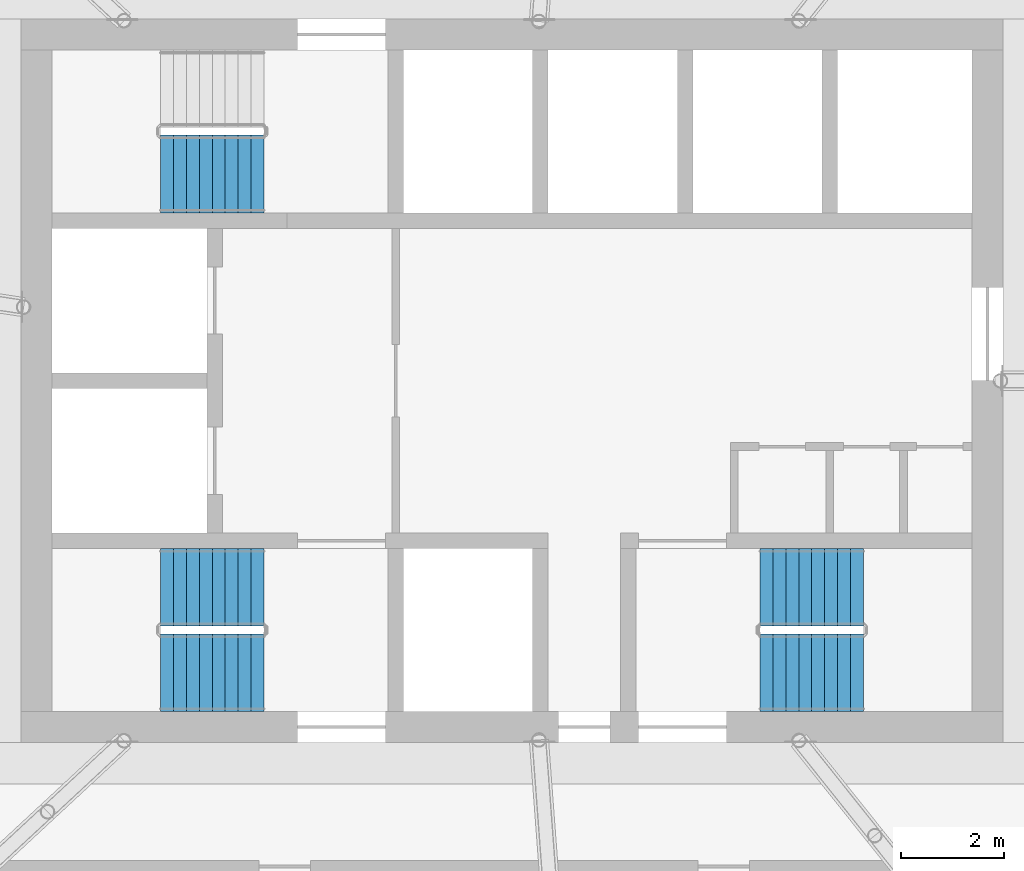
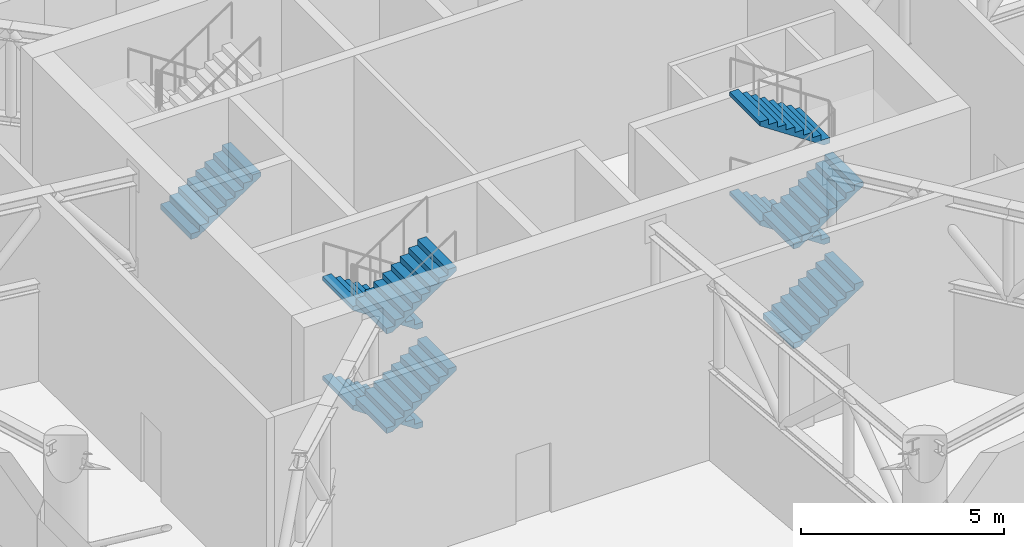
# One storey, part 11 of 13: 9 stair flights, 3 elements without a shape of their own.
"""IFC4 building model written with IfcOpenShell, lengths in metres."""

from ifc_helpers import new_model, si_unit, direction, frame, origin, place, context, subcontext, project, spatial, polyline, outline, extrude, material, type_object, element, aggregate, save


model = new_model("IFC4")

# Units and contexts
model_context = context("Model", 3, precision=1e-05, world=origin(), true_north=direction((0.0, 1.0)))
body_context = subcontext(model_context, "Body", "Model", "MODEL_VIEW")
ifc_project = project(units=[si_unit("LENGTHUNIT", "METRE"), si_unit("AREAUNIT", "SQUARE_METRE"), si_unit("VOLUMEUNIT", "CUBIC_METRE"), si_unit("PLANEANGLEUNIT", "RADIAN"), si_unit("MASSUNIT", "GRAM", prefix="KILO")], contexts=[model_context])

# Site, building, storey
site_placement = place(None, origin())
site = spatial("IfcSite", under=ifc_project, at=site_placement, CompositionType="ELEMENT")
building_placement = place(site_placement, origin())
building = spatial("IfcBuilding", under=site, at=building_placement, Name="Tracery Tower", CompositionType="ELEMENT")
storey_placement = place(building_placement, frame((0.0, 0.0, 277.800048828125)))
storey = spatial("IfcBuildingStorey", under=building, at=storey_placement, Name="L72 Plant", CompositionType="ELEMENT", Elevation=277.800048828125)

# Stair, stair flights
ifc_material_1 = material(Name="Concrete C32/40", Category="concrete")
stair_type = type_object("IfcStairType", Name="Core stair 36 risers", PredefinedType="HALF_TURN_STAIR", material=ifc_material_1)
stair_1_placement = place(storey_placement, origin())
stair_1 = element("IfcStair", 1, at=stair_1_placement, inside=storey, type_object=stair_type, Name="L72 Plant stair ST1", PredefinedType="HALF_TURN_STAIR")
ifc_material_2 = material(Name="Concrete C32/40", Category="concrete")
stair_flight_type = type_object("IfcStairFlightType", Name="Core stair flight 9 risers", PredefinedType="STRAIGHT", material=ifc_material_2)
stair_flight_1_placement = place(storey_placement, frame((-4.800048828125, -4.0, 0.0), z_axis=(0.0, 0.0, 1.0), x_axis=(-1.0, 0.0, 0.0)))
stair_flight_1 = element("IfcStairFlight", 2, at=stair_flight_1_placement, type_object=stair_flight_type, Name="ST1 flight 1", NumberOfRisers=9, NumberOfTreads=8, PredefinedType="STRAIGHT", RiserHeight=0.166666667, TreadLength=0.25, context=body_context, shape_type="SweptSolid", body=[
    extrude(outline(polyline([(0.0, 0.0), (0.0, 0.002685546875), (0.0, 0.00537109375), (0.0, 0.00830078125), (0.0, 0.010986328125), (0.0, 0.013671875), (0.0, 0.016357421875), (0.0, 0.01904296875), (0.0, 0.02197265625), (0.0, 0.024658203125), (0.0, 0.02734375), (0.0, 0.030029296875), (0.0, 0.03271484375), (0.0, 0.035400390625), (0.0, 0.038330078125), (0.0, 0.041015625), (0.0, 0.043701171875), (0.0, 0.04638671875), (0.0, 0.049072265625), (0.0, 0.052001953125), (0.0, 0.0546875), (0.0, 0.057373046875), (0.0, 0.06005859375), (0.0, 0.062744140625), (0.0, 0.065673828125), (0.0, 0.068359375), (0.0, 0.071044921875), (0.0, 0.07373046875), (0.0, 0.076416015625), (0.0, 0.079345703125), (0.0, 0.08203125), (0.0, 0.084716796875), (0.0, 0.08740234375), (0.0, 0.090087890625), (0.0, 0.093017578125), (0.0, 0.095703125), (0.0, 0.098388671875), (0.0, 0.10107421875), (0.0, 0.103759765625), (0.0, 0.1064453125), (0.0, 0.109375), (0.0, 0.112060546875), (0.0, 0.11474609375), (0.0, 0.117431640625), (0.0, 0.1201171875), (0.0, 0.123046875), (0.0, 0.125732421875), (0.0, 0.12841796875), (0.0, 0.131103515625), (0.0, 0.1337890625), (0.0, 0.13671875), (0.0, 0.139404296875), (0.0, 0.14208984375), (0.0, 0.144775390625), (0.0, 0.1474609375), (0.0, 0.150390625), (0.0, 0.153076171875), (0.0, 0.15576171875), (0.0, 0.158447265625), (0.0, 0.1611328125), (0.0, 0.163818359375), (0.0, 0.166748046875), (0.25, 0.166748046875), (0.25, 0.333251953125), (0.5, 0.333251953125), (0.5, 0.5), (0.75, 0.5), (0.75, 0.666748046875), (1.0, 0.666748046875), (1.0, 0.833251953125), (1.25, 0.833251953125), (1.25, 1.0), (1.5, 1.0), (1.5, 1.166748046875), (1.75, 1.166748046875), (1.75, 1.333251953125), (2.0, 1.333251953125), (2.0, 1.331298828125), (2.0, 1.329345703125), (2.0, 1.327392578125), (2.0, 1.325439453125), (2.0, 1.323486328125), (2.0, 1.321533203125), (2.0, 1.319580078125), (2.0, 1.317626953125), (2.0, 1.315673828125), (2.0, 1.313720703125), (2.0, 1.3115234375), (2.0, 1.3095703125), (2.0, 1.3076171875), (2.0, 1.3056640625), (2.0, 1.3037109375), (2.0, 1.3017578125), (2.0, 1.2998046875), (2.0, 1.2978515625), (2.0, 1.2958984375), (2.0, 1.2939453125), (2.0, 1.2919921875), (2.0, 1.2900390625), (2.0, 1.2880859375), (2.0, 1.285888671875), (2.0, 1.283935546875), (2.0, 1.281982421875), (2.0, 1.280029296875), (2.0, 1.278076171875), (2.0, 1.276123046875), (2.0, 1.274169921875), (2.0, 1.272216796875), (2.0, 1.270263671875), (2.0, 1.268310546875), (2.0, 1.266357421875), (2.0, 1.264404296875), (2.0, 1.262451171875), (2.0, 1.26025390625), (2.0, 1.25830078125), (2.0, 1.25634765625), (2.0, 1.25439453125), (2.0, 1.25244140625), (2.0, 1.25048828125), (2.0, 1.24853515625), (2.0, 1.24658203125), (2.0, 1.24462890625), (2.0, 1.24267578125), (2.0, 1.24072265625), (2.0, 1.23876953125), (2.0, 1.23681640625), (2.0, 1.234619140625), (2.0, 1.232666015625), (2.0, 1.230712890625), (2.0, 1.228759765625), (2.0, 1.226806640625), (2.0, 1.224853515625), (2.0, 1.222900390625), (2.0, 1.220947265625), (2.0, 1.218994140625), (2.0, 1.217041015625), (2.0, 1.215087890625), (2.0, 1.213134765625), (0.180419921875, 0.0), (0.0, 0.0)])), frame((0.0, 0.75, 0.0), z_axis=(0.0, -1.0, 0.0), x_axis=(1.0, 0.0, 0.0)), (0.0, 0.0, 1.0), 1.5),
])
stair_flight_2_placement = place(storey_placement, frame((-6.800048828125, -5.64990234375, 1.5), z_axis=(0.0, 0.0, 1.0), x_axis=(1.0, 0.0, 0.0)))
stair_flight_2 = element("IfcStairFlight", 3, at=stair_flight_2_placement, type_object=stair_flight_type, Name="ST1 flight 2", NumberOfRisers=9, NumberOfTreads=8, PredefinedType="STRAIGHT", RiserHeight=0.166666667, TreadLength=0.25, context=body_context, shape_type="SweptSolid", body=[
    extrude(outline(polyline([(0.0, 0.0), (0.0, 0.002685546875), (0.0, 0.00537109375), (0.0, 0.00830078125), (0.0, 0.010986328125), (0.0, 0.013671875), (0.0, 0.016357421875), (0.0, 0.01904296875), (0.0, 0.02197265625), (0.0, 0.024658203125), (0.0, 0.02734375), (0.0, 0.030029296875), (0.0, 0.03271484375), (0.0, 0.035400390625), (0.0, 0.038330078125), (0.0, 0.041015625), (0.0, 0.043701171875), (0.0, 0.04638671875), (0.0, 0.049072265625), (0.0, 0.052001953125), (0.0, 0.0546875), (0.0, 0.057373046875), (0.0, 0.06005859375), (0.0, 0.062744140625), (0.0, 0.065673828125), (0.0, 0.068359375), (0.0, 0.071044921875), (0.0, 0.07373046875), (0.0, 0.076416015625), (0.0, 0.079345703125), (0.0, 0.08203125), (0.0, 0.084716796875), (0.0, 0.08740234375), (0.0, 0.090087890625), (0.0, 0.093017578125), (0.0, 0.095703125), (0.0, 0.098388671875), (0.0, 0.10107421875), (0.0, 0.103759765625), (0.0, 0.1064453125), (0.0, 0.109375), (0.0, 0.112060546875), (0.0, 0.11474609375), (0.0, 0.117431640625), (0.0, 0.1201171875), (0.0, 0.123046875), (0.0, 0.125732421875), (0.0, 0.12841796875), (0.0, 0.131103515625), (0.0, 0.1337890625), (0.0, 0.13671875), (0.0, 0.139404296875), (0.0, 0.14208984375), (0.0, 0.144775390625), (0.0, 0.1474609375), (0.0, 0.150390625), (0.0, 0.153076171875), (0.0, 0.15576171875), (0.0, 0.158447265625), (0.0, 0.1611328125), (0.0, 0.163818359375), (0.0, 0.166748046875), (0.25, 0.166748046875), (0.25, 0.333251953125), (0.5, 0.333251953125), (0.5, 0.5), (0.75, 0.5), (0.75, 0.666748046875), (1.0, 0.666748046875), (1.0, 0.833251953125), (1.25, 0.833251953125), (1.25, 1.0), (1.5, 1.0), (1.5, 1.166748046875), (1.75, 1.166748046875), (1.75, 1.333251953125), (2.0, 1.333251953125), (2.0, 1.331298828125), (2.0, 1.329345703125), (2.0, 1.327392578125), (2.0, 1.325439453125), (2.0, 1.323486328125), (2.0, 1.321533203125), (2.0, 1.319580078125), (2.0, 1.317626953125), (2.0, 1.315673828125), (2.0, 1.313720703125), (2.0, 1.3115234375), (2.0, 1.3095703125), (2.0, 1.3076171875), (2.0, 1.3056640625), (2.0, 1.3037109375), (2.0, 1.3017578125), (2.0, 1.2998046875), (2.0, 1.2978515625), (2.0, 1.2958984375), (2.0, 1.2939453125), (2.0, 1.2919921875), (2.0, 1.2900390625), (2.0, 1.2880859375), (2.0, 1.285888671875), (2.0, 1.283935546875), (2.0, 1.281982421875), (2.0, 1.280029296875), (2.0, 1.278076171875), (2.0, 1.276123046875), (2.0, 1.274169921875), (2.0, 1.272216796875), (2.0, 1.270263671875), (2.0, 1.268310546875), (2.0, 1.266357421875), (2.0, 1.264404296875), (2.0, 1.262451171875), (2.0, 1.26025390625), (2.0, 1.25830078125), (2.0, 1.25634765625), (2.0, 1.25439453125), (2.0, 1.25244140625), (2.0, 1.25048828125), (2.0, 1.24853515625), (2.0, 1.24658203125), (2.0, 1.24462890625), (2.0, 1.24267578125), (2.0, 1.24072265625), (2.0, 1.23876953125), (2.0, 1.23681640625), (2.0, 1.234619140625), (2.0, 1.232666015625), (2.0, 1.230712890625), (2.0, 1.228759765625), (2.0, 1.226806640625), (2.0, 1.224853515625), (2.0, 1.222900390625), (2.0, 1.220947265625), (2.0, 1.218994140625), (2.0, 1.217041015625), (2.0, 1.215087890625), (2.0, 1.213134765625), (0.180419921875, 0.0), (0.0, 0.0)])), frame((0.0, 0.75, 0.0), z_axis=(0.0, -1.0, 0.0), x_axis=(1.0, 0.0, 0.0)), (0.0, 0.0, 1.0), 1.5),
])
stair_flight_3_placement = place(storey_placement, frame((-4.800048828125, -4.0, 3.0), z_axis=(0.0, 0.0, 1.0), x_axis=(-1.0, 0.0, 0.0)))
stair_flight_3 = element("IfcStairFlight", 4, at=stair_flight_3_placement, type_object=stair_flight_type, Name="ST1 flight 3", NumberOfRisers=9, NumberOfTreads=8, PredefinedType="STRAIGHT", RiserHeight=0.166666667, TreadLength=0.25, context=body_context, shape_type="SweptSolid", body=[
    extrude(outline(polyline([(0.0, 0.0), (0.0, 0.002685546875), (0.0, 0.00537109375), (0.0, 0.00830078125), (0.0, 0.010986328125), (0.0, 0.013671875), (0.0, 0.016357421875), (0.0, 0.01904296875), (0.0, 0.02197265625), (0.0, 0.024658203125), (0.0, 0.02734375), (0.0, 0.030029296875), (0.0, 0.03271484375), (0.0, 0.035400390625), (0.0, 0.038330078125), (0.0, 0.041015625), (0.0, 0.043701171875), (0.0, 0.04638671875), (0.0, 0.049072265625), (0.0, 0.052001953125), (0.0, 0.0546875), (0.0, 0.057373046875), (0.0, 0.06005859375), (0.0, 0.062744140625), (0.0, 0.065673828125), (0.0, 0.068359375), (0.0, 0.071044921875), (0.0, 0.07373046875), (0.0, 0.076416015625), (0.0, 0.079345703125), (0.0, 0.08203125), (0.0, 0.084716796875), (0.0, 0.08740234375), (0.0, 0.090087890625), (0.0, 0.093017578125), (0.0, 0.095703125), (0.0, 0.098388671875), (0.0, 0.10107421875), (0.0, 0.103759765625), (0.0, 0.1064453125), (0.0, 0.109375), (0.0, 0.112060546875), (0.0, 0.11474609375), (0.0, 0.117431640625), (0.0, 0.1201171875), (0.0, 0.123046875), (0.0, 0.125732421875), (0.0, 0.12841796875), (0.0, 0.131103515625), (0.0, 0.1337890625), (0.0, 0.13671875), (0.0, 0.139404296875), (0.0, 0.14208984375), (0.0, 0.144775390625), (0.0, 0.1474609375), (0.0, 0.150390625), (0.0, 0.153076171875), (0.0, 0.15576171875), (0.0, 0.158447265625), (0.0, 0.1611328125), (0.0, 0.163818359375), (0.0, 0.166748046875), (0.25, 0.166748046875), (0.25, 0.333251953125), (0.5, 0.333251953125), (0.5, 0.5), (0.75, 0.5), (0.75, 0.666748046875), (1.0, 0.666748046875), (1.0, 0.833251953125), (1.25, 0.833251953125), (1.25, 1.0), (1.5, 1.0), (1.5, 1.166748046875), (1.75, 1.166748046875), (1.75, 1.333251953125), (2.0, 1.333251953125), (2.0, 1.331298828125), (2.0, 1.329345703125), (2.0, 1.327392578125), (2.0, 1.325439453125), (2.0, 1.323486328125), (2.0, 1.321533203125), (2.0, 1.319580078125), (2.0, 1.317626953125), (2.0, 1.315673828125), (2.0, 1.313720703125), (2.0, 1.3115234375), (2.0, 1.3095703125), (2.0, 1.3076171875), (2.0, 1.3056640625), (2.0, 1.3037109375), (2.0, 1.3017578125), (2.0, 1.2998046875), (2.0, 1.2978515625), (2.0, 1.2958984375), (2.0, 1.2939453125), (2.0, 1.2919921875), (2.0, 1.2900390625), (2.0, 1.2880859375), (2.0, 1.285888671875), (2.0, 1.283935546875), (2.0, 1.281982421875), (2.0, 1.280029296875), (2.0, 1.278076171875), (2.0, 1.276123046875), (2.0, 1.274169921875), (2.0, 1.272216796875), (2.0, 1.270263671875), (2.0, 1.268310546875), (2.0, 1.266357421875), (2.0, 1.264404296875), (2.0, 1.262451171875), (2.0, 1.26025390625), (2.0, 1.25830078125), (2.0, 1.25634765625), (2.0, 1.25439453125), (2.0, 1.25244140625), (2.0, 1.25048828125), (2.0, 1.24853515625), (2.0, 1.24658203125), (2.0, 1.24462890625), (2.0, 1.24267578125), (2.0, 1.24072265625), (2.0, 1.23876953125), (2.0, 1.23681640625), (2.0, 1.234619140625), (2.0, 1.232666015625), (2.0, 1.230712890625), (2.0, 1.228759765625), (2.0, 1.226806640625), (2.0, 1.224853515625), (2.0, 1.222900390625), (2.0, 1.220947265625), (2.0, 1.218994140625), (2.0, 1.217041015625), (2.0, 1.215087890625), (2.0, 1.213134765625), (0.180419921875, 0.0), (0.0, 0.0)])), frame((0.0, 0.75, 0.0), z_axis=(0.0, -1.0, 0.0), x_axis=(1.0, 0.0, 0.0)), (0.0, 0.0, 1.0), 1.5),
])
stair_flight_4_placement = place(storey_placement, frame((-6.800048828125, -5.64990234375, 4.5), z_axis=(0.0, 0.0, 1.0), x_axis=(1.0, 0.0, 0.0)))
stair_flight_4 = element("IfcStairFlight", 5, at=stair_flight_4_placement, type_object=stair_flight_type, Name="ST1 flight 4", NumberOfRisers=9, NumberOfTreads=8, PredefinedType="STRAIGHT", RiserHeight=0.166666667, TreadLength=0.25, context=body_context, shape_type="SweptSolid", body=[
    extrude(outline(polyline([(0.0, 0.0), (0.0, 0.002685546875), (0.0, 0.00537109375), (0.0, 0.00830078125), (0.0, 0.010986328125), (0.0, 0.013671875), (0.0, 0.016357421875), (0.0, 0.01904296875), (0.0, 0.02197265625), (0.0, 0.024658203125), (0.0, 0.02734375), (0.0, 0.030029296875), (0.0, 0.03271484375), (0.0, 0.035400390625), (0.0, 0.038330078125), (0.0, 0.041015625), (0.0, 0.043701171875), (0.0, 0.04638671875), (0.0, 0.049072265625), (0.0, 0.052001953125), (0.0, 0.0546875), (0.0, 0.057373046875), (0.0, 0.06005859375), (0.0, 0.062744140625), (0.0, 0.065673828125), (0.0, 0.068359375), (0.0, 0.071044921875), (0.0, 0.07373046875), (0.0, 0.076416015625), (0.0, 0.079345703125), (0.0, 0.08203125), (0.0, 0.084716796875), (0.0, 0.08740234375), (0.0, 0.090087890625), (0.0, 0.093017578125), (0.0, 0.095703125), (0.0, 0.098388671875), (0.0, 0.10107421875), (0.0, 0.103759765625), (0.0, 0.1064453125), (0.0, 0.109375), (0.0, 0.112060546875), (0.0, 0.11474609375), (0.0, 0.117431640625), (0.0, 0.1201171875), (0.0, 0.123046875), (0.0, 0.125732421875), (0.0, 0.12841796875), (0.0, 0.131103515625), (0.0, 0.1337890625), (0.0, 0.13671875), (0.0, 0.139404296875), (0.0, 0.14208984375), (0.0, 0.144775390625), (0.0, 0.1474609375), (0.0, 0.150390625), (0.0, 0.153076171875), (0.0, 0.15576171875), (0.0, 0.158447265625), (0.0, 0.1611328125), (0.0, 0.163818359375), (0.0, 0.166748046875), (0.25, 0.166748046875), (0.25, 0.333251953125), (0.5, 0.333251953125), (0.5, 0.5), (0.75, 0.5), (0.75, 0.666748046875), (1.0, 0.666748046875), (1.0, 0.833251953125), (1.25, 0.833251953125), (1.25, 1.0), (1.5, 1.0), (1.5, 1.166748046875), (1.75, 1.166748046875), (1.75, 1.333251953125), (2.0, 1.333251953125), (2.0, 1.331298828125), (2.0, 1.329345703125), (2.0, 1.327392578125), (2.0, 1.325439453125), (2.0, 1.323486328125), (2.0, 1.321533203125), (2.0, 1.319580078125), (2.0, 1.317626953125), (2.0, 1.315673828125), (2.0, 1.313720703125), (2.0, 1.3115234375), (2.0, 1.3095703125), (2.0, 1.3076171875), (2.0, 1.3056640625), (2.0, 1.3037109375), (2.0, 1.3017578125), (2.0, 1.2998046875), (2.0, 1.2978515625), (2.0, 1.2958984375), (2.0, 1.2939453125), (2.0, 1.2919921875), (2.0, 1.2900390625), (2.0, 1.2880859375), (2.0, 1.285888671875), (2.0, 1.283935546875), (2.0, 1.281982421875), (2.0, 1.280029296875), (2.0, 1.278076171875), (2.0, 1.276123046875), (2.0, 1.274169921875), (2.0, 1.272216796875), (2.0, 1.270263671875), (2.0, 1.268310546875), (2.0, 1.266357421875), (2.0, 1.264404296875), (2.0, 1.262451171875), (2.0, 1.26025390625), (2.0, 1.25830078125), (2.0, 1.25634765625), (2.0, 1.25439453125), (2.0, 1.25244140625), (2.0, 1.25048828125), (2.0, 1.24853515625), (2.0, 1.24658203125), (2.0, 1.24462890625), (2.0, 1.24267578125), (2.0, 1.24072265625), (2.0, 1.23876953125), (2.0, 1.23681640625), (2.0, 1.234619140625), (2.0, 1.232666015625), (2.0, 1.230712890625), (2.0, 1.228759765625), (2.0, 1.226806640625), (2.0, 1.224853515625), (2.0, 1.222900390625), (2.0, 1.220947265625), (2.0, 1.218994140625), (2.0, 1.217041015625), (2.0, 1.215087890625), (2.0, 1.213134765625), (0.180419921875, 0.0), (0.0, 0.0)])), frame((0.0, 0.75, 0.0), z_axis=(0.0, -1.0, 0.0), x_axis=(1.0, 0.0, 0.0)), (0.0, 0.0, 1.0), 1.5),
])
aggregate(stair_1, [stair_flight_1, stair_flight_2, stair_flight_3, stair_flight_4])

# Stair, stair flight
stair_2_placement = place(storey_placement, origin())
stair_2 = element("IfcStair", 6, at=stair_2_placement, inside=storey, type_object=stair_type, Name="L72 Plant stair ST3", PredefinedType="HALF_TURN_STAIR")
stair_flight_5_placement = place(storey_placement, frame((-6.800048828125, 4.0, 1.5), z_axis=(0.0, 0.0, 1.0), x_axis=(1.0, 0.0, 0.0)))
stair_flight_5 = element("IfcStairFlight", 7, at=stair_flight_5_placement, type_object=stair_flight_type, Name="ST3 flight 2", NumberOfRisers=9, NumberOfTreads=8, PredefinedType="STRAIGHT", RiserHeight=0.166666667, TreadLength=0.25, context=body_context, shape_type="SweptSolid", body=[
    extrude(outline(polyline([(0.0, 0.0), (0.0, 0.002685546875), (0.0, 0.00537109375), (0.0, 0.00830078125), (0.0, 0.010986328125), (0.0, 0.013671875), (0.0, 0.016357421875), (0.0, 0.01904296875), (0.0, 0.02197265625), (0.0, 0.024658203125), (0.0, 0.02734375), (0.0, 0.030029296875), (0.0, 0.03271484375), (0.0, 0.035400390625), (0.0, 0.038330078125), (0.0, 0.041015625), (0.0, 0.043701171875), (0.0, 0.04638671875), (0.0, 0.049072265625), (0.0, 0.052001953125), (0.0, 0.0546875), (0.0, 0.057373046875), (0.0, 0.06005859375), (0.0, 0.062744140625), (0.0, 0.065673828125), (0.0, 0.068359375), (0.0, 0.071044921875), (0.0, 0.07373046875), (0.0, 0.076416015625), (0.0, 0.079345703125), (0.0, 0.08203125), (0.0, 0.084716796875), (0.0, 0.08740234375), (0.0, 0.090087890625), (0.0, 0.093017578125), (0.0, 0.095703125), (0.0, 0.098388671875), (0.0, 0.10107421875), (0.0, 0.103759765625), (0.0, 0.1064453125), (0.0, 0.109375), (0.0, 0.112060546875), (0.0, 0.11474609375), (0.0, 0.117431640625), (0.0, 0.1201171875), (0.0, 0.123046875), (0.0, 0.125732421875), (0.0, 0.12841796875), (0.0, 0.131103515625), (0.0, 0.1337890625), (0.0, 0.13671875), (0.0, 0.139404296875), (0.0, 0.14208984375), (0.0, 0.144775390625), (0.0, 0.1474609375), (0.0, 0.150390625), (0.0, 0.153076171875), (0.0, 0.15576171875), (0.0, 0.158447265625), (0.0, 0.1611328125), (0.0, 0.163818359375), (0.0, 0.166748046875), (0.25, 0.166748046875), (0.25, 0.333251953125), (0.5, 0.333251953125), (0.5, 0.5), (0.75, 0.5), (0.75, 0.666748046875), (1.0, 0.666748046875), (1.0, 0.833251953125), (1.25, 0.833251953125), (1.25, 1.0), (1.5, 1.0), (1.5, 1.166748046875), (1.75, 1.166748046875), (1.75, 1.333251953125), (2.0, 1.333251953125), (2.0, 1.331298828125), (2.0, 1.329345703125), (2.0, 1.327392578125), (2.0, 1.325439453125), (2.0, 1.323486328125), (2.0, 1.321533203125), (2.0, 1.319580078125), (2.0, 1.317626953125), (2.0, 1.315673828125), (2.0, 1.313720703125), (2.0, 1.3115234375), (2.0, 1.3095703125), (2.0, 1.3076171875), (2.0, 1.3056640625), (2.0, 1.3037109375), (2.0, 1.3017578125), (2.0, 1.2998046875), (2.0, 1.2978515625), (2.0, 1.2958984375), (2.0, 1.2939453125), (2.0, 1.2919921875), (2.0, 1.2900390625), (2.0, 1.2880859375), (2.0, 1.285888671875), (2.0, 1.283935546875), (2.0, 1.281982421875), (2.0, 1.280029296875), (2.0, 1.278076171875), (2.0, 1.276123046875), (2.0, 1.274169921875), (2.0, 1.272216796875), (2.0, 1.270263671875), (2.0, 1.268310546875), (2.0, 1.266357421875), (2.0, 1.264404296875), (2.0, 1.262451171875), (2.0, 1.26025390625), (2.0, 1.25830078125), (2.0, 1.25634765625), (2.0, 1.25439453125), (2.0, 1.25244140625), (2.0, 1.25048828125), (2.0, 1.24853515625), (2.0, 1.24658203125), (2.0, 1.24462890625), (2.0, 1.24267578125), (2.0, 1.24072265625), (2.0, 1.23876953125), (2.0, 1.23681640625), (2.0, 1.234619140625), (2.0, 1.232666015625), (2.0, 1.230712890625), (2.0, 1.228759765625), (2.0, 1.226806640625), (2.0, 1.224853515625), (2.0, 1.222900390625), (2.0, 1.220947265625), (2.0, 1.218994140625), (2.0, 1.217041015625), (2.0, 1.215087890625), (2.0, 1.213134765625), (0.180419921875, 0.0), (0.0, 0.0)])), frame((0.0, 0.75, 0.0), z_axis=(0.0, -1.0, 0.0), x_axis=(1.0, 0.0, 0.0)), (0.0, 0.0, 1.0), 1.5),
])
aggregate(stair_2, [stair_flight_5])

# Stair, stair flights
stair_3_placement = place(storey_placement, origin())
stair_3 = element("IfcStair", 8, at=stair_3_placement, inside=storey, type_object=stair_type, Name="L72 Plant stair ST2", PredefinedType="HALF_TURN_STAIR")
stair_flight_6_placement = place(storey_placement, frame((4.800048828125, -5.64990234375, 0.0), z_axis=(0.0, 0.0, 1.0), x_axis=(1.0, 0.0, 0.0)))
stair_flight_6 = element("IfcStairFlight", 9, at=stair_flight_6_placement, type_object=stair_flight_type, Name="ST2 flight 1", NumberOfRisers=9, NumberOfTreads=8, PredefinedType="STRAIGHT", RiserHeight=0.166666667, TreadLength=0.25, context=body_context, shape_type="SweptSolid", body=[
    extrude(outline(polyline([(0.0, 0.0), (0.0, 0.002685546875), (0.0, 0.00537109375), (0.0, 0.00830078125), (0.0, 0.010986328125), (0.0, 0.013671875), (0.0, 0.016357421875), (0.0, 0.01904296875), (0.0, 0.02197265625), (0.0, 0.024658203125), (0.0, 0.02734375), (0.0, 0.030029296875), (0.0, 0.03271484375), (0.0, 0.035400390625), (0.0, 0.038330078125), (0.0, 0.041015625), (0.0, 0.043701171875), (0.0, 0.04638671875), (0.0, 0.049072265625), (0.0, 0.052001953125), (0.0, 0.0546875), (0.0, 0.057373046875), (0.0, 0.06005859375), (0.0, 0.062744140625), (0.0, 0.065673828125), (0.0, 0.068359375), (0.0, 0.071044921875), (0.0, 0.07373046875), (0.0, 0.076416015625), (0.0, 0.079345703125), (0.0, 0.08203125), (0.0, 0.084716796875), (0.0, 0.08740234375), (0.0, 0.090087890625), (0.0, 0.093017578125), (0.0, 0.095703125), (0.0, 0.098388671875), (0.0, 0.10107421875), (0.0, 0.103759765625), (0.0, 0.1064453125), (0.0, 0.109375), (0.0, 0.112060546875), (0.0, 0.11474609375), (0.0, 0.117431640625), (0.0, 0.1201171875), (0.0, 0.123046875), (0.0, 0.125732421875), (0.0, 0.12841796875), (0.0, 0.131103515625), (0.0, 0.1337890625), (0.0, 0.13671875), (0.0, 0.139404296875), (0.0, 0.14208984375), (0.0, 0.144775390625), (0.0, 0.1474609375), (0.0, 0.150390625), (0.0, 0.153076171875), (0.0, 0.15576171875), (0.0, 0.158447265625), (0.0, 0.1611328125), (0.0, 0.163818359375), (0.0, 0.166748046875), (0.25, 0.166748046875), (0.25, 0.333251953125), (0.5, 0.333251953125), (0.5, 0.5), (0.75, 0.5), (0.75, 0.666748046875), (1.0, 0.666748046875), (1.0, 0.833251953125), (1.25, 0.833251953125), (1.25, 1.0), (1.5, 1.0), (1.5, 1.166748046875), (1.75, 1.166748046875), (1.75, 1.333251953125), (2.0, 1.333251953125), (2.0, 1.331298828125), (2.0, 1.329345703125), (2.0, 1.327392578125), (2.0, 1.325439453125), (2.0, 1.323486328125), (2.0, 1.321533203125), (2.0, 1.319580078125), (2.0, 1.317626953125), (2.0, 1.315673828125), (2.0, 1.313720703125), (2.0, 1.3115234375), (2.0, 1.3095703125), (2.0, 1.3076171875), (2.0, 1.3056640625), (2.0, 1.3037109375), (2.0, 1.3017578125), (2.0, 1.2998046875), (2.0, 1.2978515625), (2.0, 1.2958984375), (2.0, 1.2939453125), (2.0, 1.2919921875), (2.0, 1.2900390625), (2.0, 1.2880859375), (2.0, 1.285888671875), (2.0, 1.283935546875), (2.0, 1.281982421875), (2.0, 1.280029296875), (2.0, 1.278076171875), (2.0, 1.276123046875), (2.0, 1.274169921875), (2.0, 1.272216796875), (2.0, 1.270263671875), (2.0, 1.268310546875), (2.0, 1.266357421875), (2.0, 1.264404296875), (2.0, 1.262451171875), (2.0, 1.26025390625), (2.0, 1.25830078125), (2.0, 1.25634765625), (2.0, 1.25439453125), (2.0, 1.25244140625), (2.0, 1.25048828125), (2.0, 1.24853515625), (2.0, 1.24658203125), (2.0, 1.24462890625), (2.0, 1.24267578125), (2.0, 1.24072265625), (2.0, 1.23876953125), (2.0, 1.23681640625), (2.0, 1.234619140625), (2.0, 1.232666015625), (2.0, 1.230712890625), (2.0, 1.228759765625), (2.0, 1.226806640625), (2.0, 1.224853515625), (2.0, 1.222900390625), (2.0, 1.220947265625), (2.0, 1.218994140625), (2.0, 1.217041015625), (2.0, 1.215087890625), (2.0, 1.213134765625), (0.180419921875, 0.0), (0.0, 0.0)])), frame((0.0, 0.75, 0.0), z_axis=(0.0, -1.0, 0.0), x_axis=(1.0, 0.0, 0.0)), (0.0, 0.0, 1.0), 1.5),
])
stair_flight_7_placement = place(storey_placement, frame((6.800048828125, -4.0, 1.5), z_axis=(0.0, 0.0, 1.0), x_axis=(-1.0, 0.0, 0.0)))
stair_flight_7 = element("IfcStairFlight", 10, at=stair_flight_7_placement, type_object=stair_flight_type, Name="ST2 flight 2", NumberOfRisers=9, NumberOfTreads=8, PredefinedType="STRAIGHT", RiserHeight=0.166666667, TreadLength=0.25, context=body_context, shape_type="SweptSolid", body=[
    extrude(outline(polyline([(0.0, 0.0), (0.0, 0.002685546875), (0.0, 0.00537109375), (0.0, 0.00830078125), (0.0, 0.010986328125), (0.0, 0.013671875), (0.0, 0.016357421875), (0.0, 0.01904296875), (0.0, 0.02197265625), (0.0, 0.024658203125), (0.0, 0.02734375), (0.0, 0.030029296875), (0.0, 0.03271484375), (0.0, 0.035400390625), (0.0, 0.038330078125), (0.0, 0.041015625), (0.0, 0.043701171875), (0.0, 0.04638671875), (0.0, 0.049072265625), (0.0, 0.052001953125), (0.0, 0.0546875), (0.0, 0.057373046875), (0.0, 0.06005859375), (0.0, 0.062744140625), (0.0, 0.065673828125), (0.0, 0.068359375), (0.0, 0.071044921875), (0.0, 0.07373046875), (0.0, 0.076416015625), (0.0, 0.079345703125), (0.0, 0.08203125), (0.0, 0.084716796875), (0.0, 0.08740234375), (0.0, 0.090087890625), (0.0, 0.093017578125), (0.0, 0.095703125), (0.0, 0.098388671875), (0.0, 0.10107421875), (0.0, 0.103759765625), (0.0, 0.1064453125), (0.0, 0.109375), (0.0, 0.112060546875), (0.0, 0.11474609375), (0.0, 0.117431640625), (0.0, 0.1201171875), (0.0, 0.123046875), (0.0, 0.125732421875), (0.0, 0.12841796875), (0.0, 0.131103515625), (0.0, 0.1337890625), (0.0, 0.13671875), (0.0, 0.139404296875), (0.0, 0.14208984375), (0.0, 0.144775390625), (0.0, 0.1474609375), (0.0, 0.150390625), (0.0, 0.153076171875), (0.0, 0.15576171875), (0.0, 0.158447265625), (0.0, 0.1611328125), (0.0, 0.163818359375), (0.0, 0.166748046875), (0.25, 0.166748046875), (0.25, 0.333251953125), (0.5, 0.333251953125), (0.5, 0.5), (0.75, 0.5), (0.75, 0.666748046875), (1.0, 0.666748046875), (1.0, 0.833251953125), (1.25, 0.833251953125), (1.25, 1.0), (1.5, 1.0), (1.5, 1.166748046875), (1.75, 1.166748046875), (1.75, 1.333251953125), (2.0, 1.333251953125), (2.0, 1.331298828125), (2.0, 1.329345703125), (2.0, 1.327392578125), (2.0, 1.325439453125), (2.0, 1.323486328125), (2.0, 1.321533203125), (2.0, 1.319580078125), (2.0, 1.317626953125), (2.0, 1.315673828125), (2.0, 1.313720703125), (2.0, 1.3115234375), (2.0, 1.3095703125), (2.0, 1.3076171875), (2.0, 1.3056640625), (2.0, 1.3037109375), (2.0, 1.3017578125), (2.0, 1.2998046875), (2.0, 1.2978515625), (2.0, 1.2958984375), (2.0, 1.2939453125), (2.0, 1.2919921875), (2.0, 1.2900390625), (2.0, 1.2880859375), (2.0, 1.285888671875), (2.0, 1.283935546875), (2.0, 1.281982421875), (2.0, 1.280029296875), (2.0, 1.278076171875), (2.0, 1.276123046875), (2.0, 1.274169921875), (2.0, 1.272216796875), (2.0, 1.270263671875), (2.0, 1.268310546875), (2.0, 1.266357421875), (2.0, 1.264404296875), (2.0, 1.262451171875), (2.0, 1.26025390625), (2.0, 1.25830078125), (2.0, 1.25634765625), (2.0, 1.25439453125), (2.0, 1.25244140625), (2.0, 1.25048828125), (2.0, 1.24853515625), (2.0, 1.24658203125), (2.0, 1.24462890625), (2.0, 1.24267578125), (2.0, 1.24072265625), (2.0, 1.23876953125), (2.0, 1.23681640625), (2.0, 1.234619140625), (2.0, 1.232666015625), (2.0, 1.230712890625), (2.0, 1.228759765625), (2.0, 1.226806640625), (2.0, 1.224853515625), (2.0, 1.222900390625), (2.0, 1.220947265625), (2.0, 1.218994140625), (2.0, 1.217041015625), (2.0, 1.215087890625), (2.0, 1.213134765625), (0.180419921875, 0.0), (0.0, 0.0)])), frame((0.0, 0.75, 0.0), z_axis=(0.0, -1.0, 0.0), x_axis=(1.0, 0.0, 0.0)), (0.0, 0.0, 1.0), 1.5),
])
stair_flight_8_placement = place(storey_placement, frame((4.800048828125, -5.64990234375, 3.0), z_axis=(0.0, 0.0, 1.0), x_axis=(1.0, 0.0, 0.0)))
stair_flight_8 = element("IfcStairFlight", 11, at=stair_flight_8_placement, type_object=stair_flight_type, Name="ST2 flight 3", NumberOfRisers=9, NumberOfTreads=8, PredefinedType="STRAIGHT", RiserHeight=0.166666667, TreadLength=0.25, context=body_context, shape_type="SweptSolid", body=[
    extrude(outline(polyline([(0.0, 0.0), (0.0, 0.002685546875), (0.0, 0.00537109375), (0.0, 0.00830078125), (0.0, 0.010986328125), (0.0, 0.013671875), (0.0, 0.016357421875), (0.0, 0.01904296875), (0.0, 0.02197265625), (0.0, 0.024658203125), (0.0, 0.02734375), (0.0, 0.030029296875), (0.0, 0.03271484375), (0.0, 0.035400390625), (0.0, 0.038330078125), (0.0, 0.041015625), (0.0, 0.043701171875), (0.0, 0.04638671875), (0.0, 0.049072265625), (0.0, 0.052001953125), (0.0, 0.0546875), (0.0, 0.057373046875), (0.0, 0.06005859375), (0.0, 0.062744140625), (0.0, 0.065673828125), (0.0, 0.068359375), (0.0, 0.071044921875), (0.0, 0.07373046875), (0.0, 0.076416015625), (0.0, 0.079345703125), (0.0, 0.08203125), (0.0, 0.084716796875), (0.0, 0.08740234375), (0.0, 0.090087890625), (0.0, 0.093017578125), (0.0, 0.095703125), (0.0, 0.098388671875), (0.0, 0.10107421875), (0.0, 0.103759765625), (0.0, 0.1064453125), (0.0, 0.109375), (0.0, 0.112060546875), (0.0, 0.11474609375), (0.0, 0.117431640625), (0.0, 0.1201171875), (0.0, 0.123046875), (0.0, 0.125732421875), (0.0, 0.12841796875), (0.0, 0.131103515625), (0.0, 0.1337890625), (0.0, 0.13671875), (0.0, 0.139404296875), (0.0, 0.14208984375), (0.0, 0.144775390625), (0.0, 0.1474609375), (0.0, 0.150390625), (0.0, 0.153076171875), (0.0, 0.15576171875), (0.0, 0.158447265625), (0.0, 0.1611328125), (0.0, 0.163818359375), (0.0, 0.166748046875), (0.25, 0.166748046875), (0.25, 0.333251953125), (0.5, 0.333251953125), (0.5, 0.5), (0.75, 0.5), (0.75, 0.666748046875), (1.0, 0.666748046875), (1.0, 0.833251953125), (1.25, 0.833251953125), (1.25, 1.0), (1.5, 1.0), (1.5, 1.166748046875), (1.75, 1.166748046875), (1.75, 1.333251953125), (2.0, 1.333251953125), (2.0, 1.331298828125), (2.0, 1.329345703125), (2.0, 1.327392578125), (2.0, 1.325439453125), (2.0, 1.323486328125), (2.0, 1.321533203125), (2.0, 1.319580078125), (2.0, 1.317626953125), (2.0, 1.315673828125), (2.0, 1.313720703125), (2.0, 1.3115234375), (2.0, 1.3095703125), (2.0, 1.3076171875), (2.0, 1.3056640625), (2.0, 1.3037109375), (2.0, 1.3017578125), (2.0, 1.2998046875), (2.0, 1.2978515625), (2.0, 1.2958984375), (2.0, 1.2939453125), (2.0, 1.2919921875), (2.0, 1.2900390625), (2.0, 1.2880859375), (2.0, 1.285888671875), (2.0, 1.283935546875), (2.0, 1.281982421875), (2.0, 1.280029296875), (2.0, 1.278076171875), (2.0, 1.276123046875), (2.0, 1.274169921875), (2.0, 1.272216796875), (2.0, 1.270263671875), (2.0, 1.268310546875), (2.0, 1.266357421875), (2.0, 1.264404296875), (2.0, 1.262451171875), (2.0, 1.26025390625), (2.0, 1.25830078125), (2.0, 1.25634765625), (2.0, 1.25439453125), (2.0, 1.25244140625), (2.0, 1.25048828125), (2.0, 1.24853515625), (2.0, 1.24658203125), (2.0, 1.24462890625), (2.0, 1.24267578125), (2.0, 1.24072265625), (2.0, 1.23876953125), (2.0, 1.23681640625), (2.0, 1.234619140625), (2.0, 1.232666015625), (2.0, 1.230712890625), (2.0, 1.228759765625), (2.0, 1.226806640625), (2.0, 1.224853515625), (2.0, 1.222900390625), (2.0, 1.220947265625), (2.0, 1.218994140625), (2.0, 1.217041015625), (2.0, 1.215087890625), (2.0, 1.213134765625), (0.180419921875, 0.0), (0.0, 0.0)])), frame((0.0, 0.75, 0.0), z_axis=(0.0, -1.0, 0.0), x_axis=(1.0, 0.0, 0.0)), (0.0, 0.0, 1.0), 1.5),
])
stair_flight_9_placement = place(storey_placement, frame((6.800048828125, -4.0, 4.5), z_axis=(0.0, 0.0, 1.0), x_axis=(-1.0, 0.0, 0.0)))
stair_flight_9 = element("IfcStairFlight", 12, at=stair_flight_9_placement, type_object=stair_flight_type, Name="ST2 flight 4", NumberOfRisers=9, NumberOfTreads=8, PredefinedType="STRAIGHT", RiserHeight=0.166666667, TreadLength=0.25, context=body_context, shape_type="SweptSolid", body=[
    extrude(outline(polyline([(0.0, 0.0), (0.0, 0.002685546875), (0.0, 0.00537109375), (0.0, 0.00830078125), (0.0, 0.010986328125), (0.0, 0.013671875), (0.0, 0.016357421875), (0.0, 0.01904296875), (0.0, 0.02197265625), (0.0, 0.024658203125), (0.0, 0.02734375), (0.0, 0.030029296875), (0.0, 0.03271484375), (0.0, 0.035400390625), (0.0, 0.038330078125), (0.0, 0.041015625), (0.0, 0.043701171875), (0.0, 0.04638671875), (0.0, 0.049072265625), (0.0, 0.052001953125), (0.0, 0.0546875), (0.0, 0.057373046875), (0.0, 0.06005859375), (0.0, 0.062744140625), (0.0, 0.065673828125), (0.0, 0.068359375), (0.0, 0.071044921875), (0.0, 0.07373046875), (0.0, 0.076416015625), (0.0, 0.079345703125), (0.0, 0.08203125), (0.0, 0.084716796875), (0.0, 0.08740234375), (0.0, 0.090087890625), (0.0, 0.093017578125), (0.0, 0.095703125), (0.0, 0.098388671875), (0.0, 0.10107421875), (0.0, 0.103759765625), (0.0, 0.1064453125), (0.0, 0.109375), (0.0, 0.112060546875), (0.0, 0.11474609375), (0.0, 0.117431640625), (0.0, 0.1201171875), (0.0, 0.123046875), (0.0, 0.125732421875), (0.0, 0.12841796875), (0.0, 0.131103515625), (0.0, 0.1337890625), (0.0, 0.13671875), (0.0, 0.139404296875), (0.0, 0.14208984375), (0.0, 0.144775390625), (0.0, 0.1474609375), (0.0, 0.150390625), (0.0, 0.153076171875), (0.0, 0.15576171875), (0.0, 0.158447265625), (0.0, 0.1611328125), (0.0, 0.163818359375), (0.0, 0.166748046875), (0.25, 0.166748046875), (0.25, 0.333251953125), (0.5, 0.333251953125), (0.5, 0.5), (0.75, 0.5), (0.75, 0.666748046875), (1.0, 0.666748046875), (1.0, 0.833251953125), (1.25, 0.833251953125), (1.25, 1.0), (1.5, 1.0), (1.5, 1.166748046875), (1.75, 1.166748046875), (1.75, 1.333251953125), (2.0, 1.333251953125), (2.0, 1.331298828125), (2.0, 1.329345703125), (2.0, 1.327392578125), (2.0, 1.325439453125), (2.0, 1.323486328125), (2.0, 1.321533203125), (2.0, 1.319580078125), (2.0, 1.317626953125), (2.0, 1.315673828125), (2.0, 1.313720703125), (2.0, 1.3115234375), (2.0, 1.3095703125), (2.0, 1.3076171875), (2.0, 1.3056640625), (2.0, 1.3037109375), (2.0, 1.3017578125), (2.0, 1.2998046875), (2.0, 1.2978515625), (2.0, 1.2958984375), (2.0, 1.2939453125), (2.0, 1.2919921875), (2.0, 1.2900390625), (2.0, 1.2880859375), (2.0, 1.285888671875), (2.0, 1.283935546875), (2.0, 1.281982421875), (2.0, 1.280029296875), (2.0, 1.278076171875), (2.0, 1.276123046875), (2.0, 1.274169921875), (2.0, 1.272216796875), (2.0, 1.270263671875), (2.0, 1.268310546875), (2.0, 1.266357421875), (2.0, 1.264404296875), (2.0, 1.262451171875), (2.0, 1.26025390625), (2.0, 1.25830078125), (2.0, 1.25634765625), (2.0, 1.25439453125), (2.0, 1.25244140625), (2.0, 1.25048828125), (2.0, 1.24853515625), (2.0, 1.24658203125), (2.0, 1.24462890625), (2.0, 1.24267578125), (2.0, 1.24072265625), (2.0, 1.23876953125), (2.0, 1.23681640625), (2.0, 1.234619140625), (2.0, 1.232666015625), (2.0, 1.230712890625), (2.0, 1.228759765625), (2.0, 1.226806640625), (2.0, 1.224853515625), (2.0, 1.222900390625), (2.0, 1.220947265625), (2.0, 1.218994140625), (2.0, 1.217041015625), (2.0, 1.215087890625), (2.0, 1.213134765625), (0.180419921875, 0.0), (0.0, 0.0)])), frame((0.0, 0.75, 0.0), z_axis=(0.0, -1.0, 0.0), x_axis=(1.0, 0.0, 0.0)), (0.0, 0.0, 1.0), 1.5),
])
aggregate(stair_3, [stair_flight_6, stair_flight_7, stair_flight_8, stair_flight_9])

save(model, "model.ifc")
